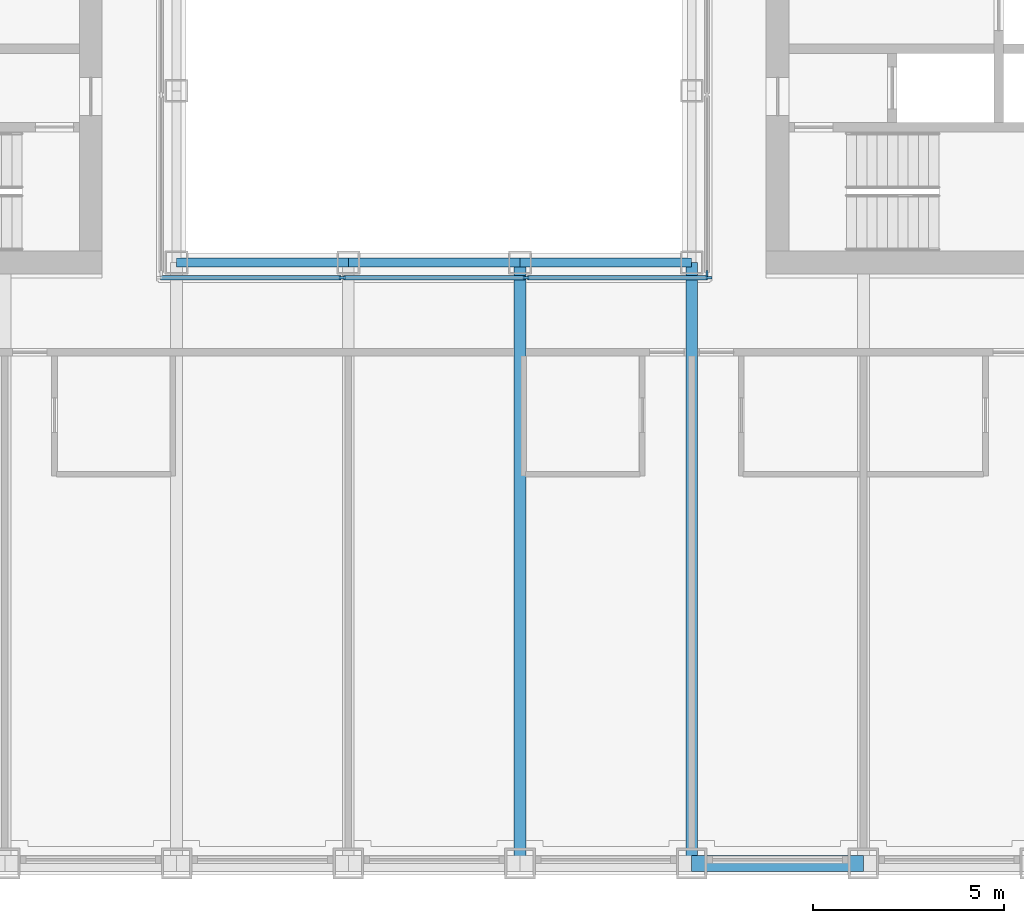
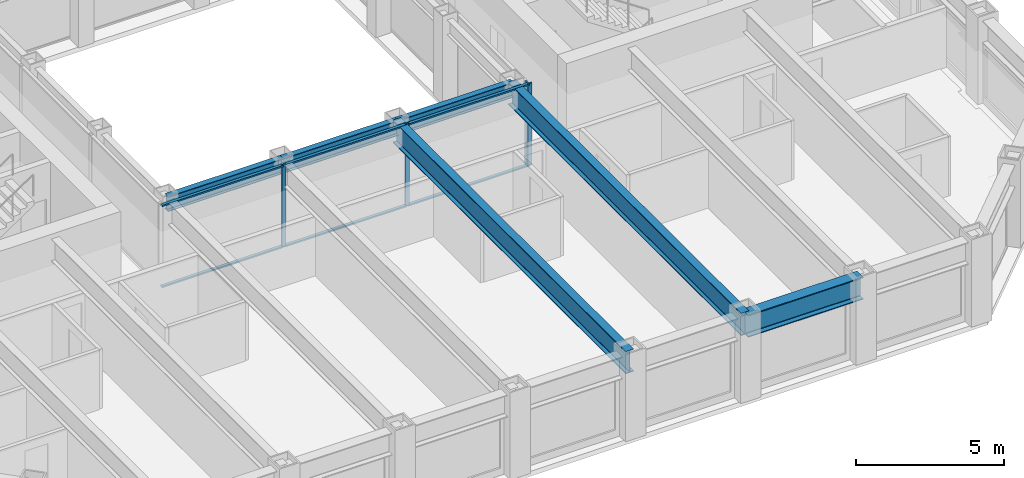
# One storey, part 3 of 17: 10 members, 6 beams, 2 elements without a shape of their own.
"""IFC4 building model written with IfcOpenShell, lengths in metres."""

from ifc_helpers import new_model, si_unit, direction, frame, origin, origin_2d, place, context, subcontext, project, spatial, rectangle, i_section, extrude, material, material_profile, profile_set, type_object, element, aggregate, save


model = new_model("IFC4")

# Units and contexts
model_context = context("Model", 3, precision=1e-05, world=origin(), true_north=direction((0.0, 1.0)))
body_context = subcontext(model_context, "Body", "Model", "MODEL_VIEW")
ifc_project = project(units=[si_unit("LENGTHUNIT", "METRE"), si_unit("AREAUNIT", "SQUARE_METRE"), si_unit("VOLUMEUNIT", "CUBIC_METRE"), si_unit("PLANEANGLEUNIT", "RADIAN"), si_unit("MASSUNIT", "GRAM", prefix="KILO")], contexts=[model_context])

# Site, building, storey
site_placement = place(None, origin())
site = spatial("IfcSite", under=ifc_project, at=site_placement, CompositionType="ELEMENT")
building_placement = place(site_placement, origin())
building = spatial("IfcBuilding", under=site, at=building_placement, Name="Msasa Ring Tower", CompositionType="ELEMENT")
storey_placement = place(building_placement, frame((0.0, 0.0, 132.800048828125)))
storey = spatial("IfcBuildingStorey", under=building, at=storey_placement, Name="L34", CompositionType="ELEMENT", Elevation=132.800048828125)

# Curtain wall, members
ifc_material_1 = material(Name="Aluminium curtain wall with clear glass", Category="aluminium")
curtain_wall_type = type_object("IfcCurtainWallType", Name="CW-W LIGHT WELL CURTAIN WALL", PredefinedType="NOTDEFINED", material=ifc_material_1)
curtain_wall_1_placement = place(storey_placement, origin())
curtain_wall_1 = element("IfcCurtainWall", 1, at=curtain_wall_1_placement, inside=storey, type_object=curtain_wall_type, Name="Light well curtain wall S L34", PredefinedType="NOTDEFINED")
ifc_material_2 = material(Name="Aluminium mullion", Category="aluminium")
ifc_material_profile_1 = material_profile(ifc_material_2, rectangle(XDim=0.06005859375, YDim=0.159912109375, at=origin_2d()), Name="AL 60x160")
ifc_profile_set_1 = profile_set([ifc_material_profile_1], Name="Aluminium mullion")
member_type_1 = type_object("IfcMemberType", Name="CW-W MULLION 60x160", PredefinedType="MULLION", material=ifc_profile_set_1)
member_1_placement = place(storey_placement, frame((-2.409912109375, -7.14990234375, 0.0), z_axis=(0.0, 0.0, 1.0), x_axis=(0.0, 1.0, 0.0)))
member_1 = element("IfcMember", 2, at=member_1_placement, type_object=member_type_1, Name="CW-W mullion 2", PredefinedType="MULLION", context=body_context, shape_type="SweptSolid", body=[
    extrude(rectangle(XDim=0.06005859375, YDim=0.159912109375, at=origin_2d()), origin(), (0.0, 0.0, 1.0), 3.39990234375),
])
member_2_placement = place(storey_placement, frame((2.409912109375, -7.14990234375, 0.0), z_axis=(0.0, 0.0, 1.0), x_axis=(0.0, 1.0, 0.0)))
member_2 = element("IfcMember", 3, at=member_2_placement, type_object=member_type_1, Name="CW-W mullion 3", PredefinedType="MULLION", context=body_context, shape_type="SweptSolid", body=[
    extrude(rectangle(XDim=0.06005859375, YDim=0.159912109375, at=origin_2d()), origin(), (0.0, 0.0, 1.0), 3.39990234375),
])
member_3_placement = place(storey_placement, frame((7.199951171875, -7.14990234375, 0.0), z_axis=(0.0, 0.0, 1.0), x_axis=(0.0, 1.0, 0.0)))
member_3 = element("IfcMember", 4, at=member_3_placement, type_object=member_type_1, Name="CW-W mullion 4", PredefinedType="MULLION", context=body_context, shape_type="SweptSolid", body=[
    extrude(rectangle(XDim=0.06005859375, YDim=0.159912109375, at=origin_2d()), origin(), (0.0, 0.0, 1.0), 3.39990234375),
])

# Curtain wall, member
curtain_wall_2_placement = place(storey_placement, origin())
curtain_wall_2 = element("IfcCurtainWall", 5, at=curtain_wall_2_placement, inside=storey, type_object=curtain_wall_type, Name="Light well curtain wall E L34", PredefinedType="NOTDEFINED")
member_4_placement = place(storey_placement, frame((7.14990234375, -7.0400390625, 0.0), z_axis=(0.0, 0.0, 1.0), x_axis=(-1.0, 0.0, 0.0)))
member_4 = element("IfcMember", 6, at=member_4_placement, type_object=member_type_1, Name="CW-W mullion 1", PredefinedType="MULLION", context=body_context, shape_type="SweptSolid", body=[
    extrude(rectangle(XDim=0.06005859375, YDim=0.159912109375, at=origin_2d()), origin(), (0.0, 0.0, 1.0), 3.39990234375),
])
aggregate(curtain_wall_2, [member_4])

# Member
ifc_material_3 = material(Name="Aluminium transom", Category="aluminium")
ifc_material_profile_2 = material_profile(ifc_material_3, rectangle(XDim=0.1201171875, YDim=0.06005859375, at=origin_2d()), Name="AL 60x120")
ifc_profile_set_2 = profile_set([ifc_material_profile_2], Name="Aluminium transom")
member_type_2 = type_object("IfcMemberType", Name="CW-W TRANSOM 60x120", PredefinedType="USERDEFINED", material=ifc_profile_set_2)
member_5_placement = place(storey_placement, frame((-7.169921875, -7.14990234375, 0.030029296875), z_axis=(1.0, 0.0, 0.0), x_axis=(0.0, 1.0, 0.0)))
member_5 = element("IfcMember", 7, at=member_5_placement, type_object=member_type_2, Name="CW-W transom 1.1", ObjectType="TRANSOM", PredefinedType="USERDEFINED", context=body_context, shape_type="SweptSolid", body=[
    extrude(rectangle(XDim=0.1201171875, YDim=0.06005859375, at=origin_2d()), origin(), (0.0, 0.0, 1.0), 4.72998046875),
])

member_6_placement = place(storey_placement, frame((-7.169921875, -7.14990234375, 3.369873046875), z_axis=(1.0, 0.0, 0.0), x_axis=(0.0, 1.0, 0.0)))
member_6 = element("IfcMember", 8, at=member_6_placement, type_object=member_type_2, Name="CW-W transom 1.2", ObjectType="TRANSOM", PredefinedType="USERDEFINED", context=body_context, shape_type="SweptSolid", body=[
    extrude(rectangle(XDim=0.1201171875, YDim=0.06005859375, at=origin_2d()), origin(), (0.0, 0.0, 1.0), 4.72998046875),
])

member_7_placement = place(storey_placement, frame((-2.3798828125, -7.14990234375, 0.030029296875), z_axis=(1.0, 0.0, 0.0), x_axis=(0.0, 1.0, 0.0)))
member_7 = element("IfcMember", 9, at=member_7_placement, type_object=member_type_2, Name="CW-W transom 2.1", ObjectType="TRANSOM", PredefinedType="USERDEFINED", context=body_context, shape_type="SweptSolid", body=[
    extrude(rectangle(XDim=0.1201171875, YDim=0.06005859375, at=origin_2d()), origin(), (0.0, 0.0, 1.0), 4.759765625),
])

member_8_placement = place(storey_placement, frame((-2.3798828125, -7.14990234375, 3.369873046875), z_axis=(1.0, 0.0, 0.0), x_axis=(0.0, 1.0, 0.0)))
member_8 = element("IfcMember", 10, at=member_8_placement, type_object=member_type_2, Name="CW-W transom 2.2", ObjectType="TRANSOM", PredefinedType="USERDEFINED", context=body_context, shape_type="SweptSolid", body=[
    extrude(rectangle(XDim=0.1201171875, YDim=0.06005859375, at=origin_2d()), origin(), (0.0, 0.0, 1.0), 4.759765625),
])

member_9_placement = place(storey_placement, frame((2.43994140625, -7.14990234375, 0.030029296875), z_axis=(1.0, 0.0, 0.0), x_axis=(0.0, 1.0, 0.0)))
member_9 = element("IfcMember", 11, at=member_9_placement, type_object=member_type_2, Name="CW-W transom 3.1", ObjectType="TRANSOM", PredefinedType="USERDEFINED", context=body_context, shape_type="SweptSolid", body=[
    extrude(rectangle(XDim=0.1201171875, YDim=0.06005859375, at=origin_2d()), origin(), (0.0, 0.0, 1.0), 4.72998046875),
])

member_10_placement = place(storey_placement, frame((2.43994140625, -7.14990234375, 3.369873046875), z_axis=(1.0, 0.0, 0.0), x_axis=(0.0, 1.0, 0.0)))
member_10 = element("IfcMember", 12, at=member_10_placement, type_object=member_type_2, Name="CW-W transom 3.2", ObjectType="TRANSOM", PredefinedType="USERDEFINED", context=body_context, shape_type="SweptSolid", body=[
    extrude(rectangle(XDim=0.1201171875, YDim=0.06005859375, at=origin_2d()), origin(), (0.0, 0.0, 1.0), 4.72998046875),
])

aggregate(curtain_wall_1, [member_1, member_2, member_3, member_5, member_6, member_7, member_8, member_9, member_10])

# Beams
ifc_material_4 = material(Name="Steel S355", Category="steel")
ifc_material_profile_3 = material_profile(ifc_material_4, i_section(OverallWidth=0.3076171875, OverallDepth=0.926513671875, WebThickness=0.01953125, FlangeThickness=0.031982421875, FilletRadius=0.01904296875, at=origin_2d()), Name="UB 914x305x289")
ifc_profile_set_3 = profile_set([ifc_material_profile_3], Name="Steel S355")
beam_type_1 = type_object("IfcBeamType", Name="FB3 UB 914x305x289", PredefinedType="BEAM", material=ifc_profile_set_3)
for number, where, z_axis, x_axis, name in (
    (13, (2.25, -22.5, 2.936767578125), (0.0, 1.0, 0.0), (-1.0, 0.0, 0.0), "Floor beam S+2.25 under L35"),
    (14, (6.75, -22.5, 2.936767578125), (0.0, 1.0, 0.0), (-1.0, 0.0, 0.0), "Floor beam S+6.75 under L35"),
):
    element("IfcBeam", number, at=place(storey_placement, frame(where, z_axis=z_axis, x_axis=x_axis)), inside=storey, type_object=beam_type_1, Name=name, PredefinedType="BEAM", context=body_context, shape_type="SweptSolid", body=[
        extrude(i_section(OverallWidth=0.3076171875, OverallDepth=0.926513671875, WebThickness=0.01953125, FlangeThickness=0.031982421875, FilletRadius=0.01904296875, at=origin_2d()), origin(), (0.0, 0.0, 1.0), 15.75),
    ])
ifc_material_5 = material(Name="Steel S355", Category="steel")
ifc_material_profile_4 = material_profile(ifc_material_5, i_section(OverallWidth=0.230224609375, OverallDepth=0.6171875, WebThickness=0.01318359375, FlangeThickness=0.022216796875, FilletRadius=0.0126953125, at=origin_2d()), Name="UB 610x229x140")
ifc_profile_set_4 = profile_set([ifc_material_profile_4], Name="Steel S355")
beam_type_2 = type_object("IfcBeamType", Name="RB1 UB 610x229x140", PredefinedType="BEAM", material=ifc_profile_set_4)
for number, where, z_axis, x_axis, name in (
    (15, (-6.75, -6.75, 3.09130859375), (1.0, 0.0, 0.0), (0.0, 1.0, 0.0), "Inner ring beam IR-6.75-6.75 under L35"),
    (16, (-2.25, -6.75, 3.09130859375), (1.0, 0.0, 0.0), (0.0, 1.0, 0.0), "Inner ring beam IR-2.25-6.75 under L35"),
    (17, (2.25, -6.75, 3.09130859375), (1.0, 0.0, 0.0), (0.0, 1.0, 0.0), "Inner ring beam IR+2.25-6.75 under L35"),
):
    element("IfcBeam", number, at=place(storey_placement, frame(where, z_axis=z_axis, x_axis=x_axis)), inside=storey, type_object=beam_type_2, Name=name, PredefinedType="BEAM", context=body_context, shape_type="SweptSolid", body=[
        extrude(i_section(OverallWidth=0.230224609375, OverallDepth=0.6171875, WebThickness=0.01318359375, FlangeThickness=0.022216796875, FilletRadius=0.0126953125, at=origin_2d()), origin(), (0.0, 0.0, 1.0), 4.5),
    ])
ifc_material_6 = material(Name="Steel S355", Category="steel")
ifc_material_profile_5 = material_profile(ifc_material_6, i_section(OverallWidth=0.42041015625, OverallDepth=0.9208984375, WebThickness=0.021484375, FlangeThickness=0.03662109375, FilletRadius=0.024169921875, at=origin_2d()), Name="UB 914x419x388")
ifc_profile_set_5 = profile_set([ifc_material_profile_5], Name="Steel S355")
beam_type_3 = type_object("IfcBeamType", Name="SB1 UB 914x419x388", PredefinedType="SPANDREL", material=ifc_profile_set_5)
beam_placement = place(storey_placement, frame((6.75, -22.5, 2.939453125), z_axis=(1.0, 0.0, 0.0), x_axis=(0.0, 1.0, 0.0)))
element("IfcBeam", 18, at=beam_placement, inside=storey, type_object=beam_type_3, Name="Spandrel S+6.75 to S+11.25 under L35", PredefinedType="SPANDREL", context=body_context, shape_type="SweptSolid", body=[
    extrude(i_section(OverallWidth=0.42041015625, OverallDepth=0.9208984375, WebThickness=0.021484375, FlangeThickness=0.03662109375, FilletRadius=0.024169921875, at=origin_2d()), origin(), (0.0, 0.0, 1.0), 4.5),
])

save(model, "model.ifc")
